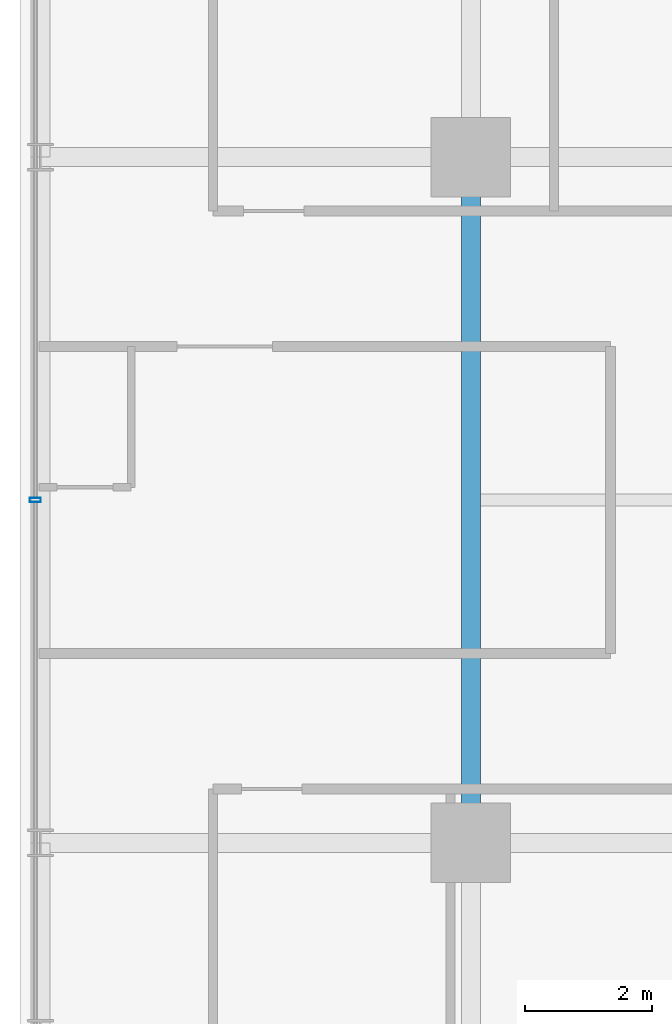
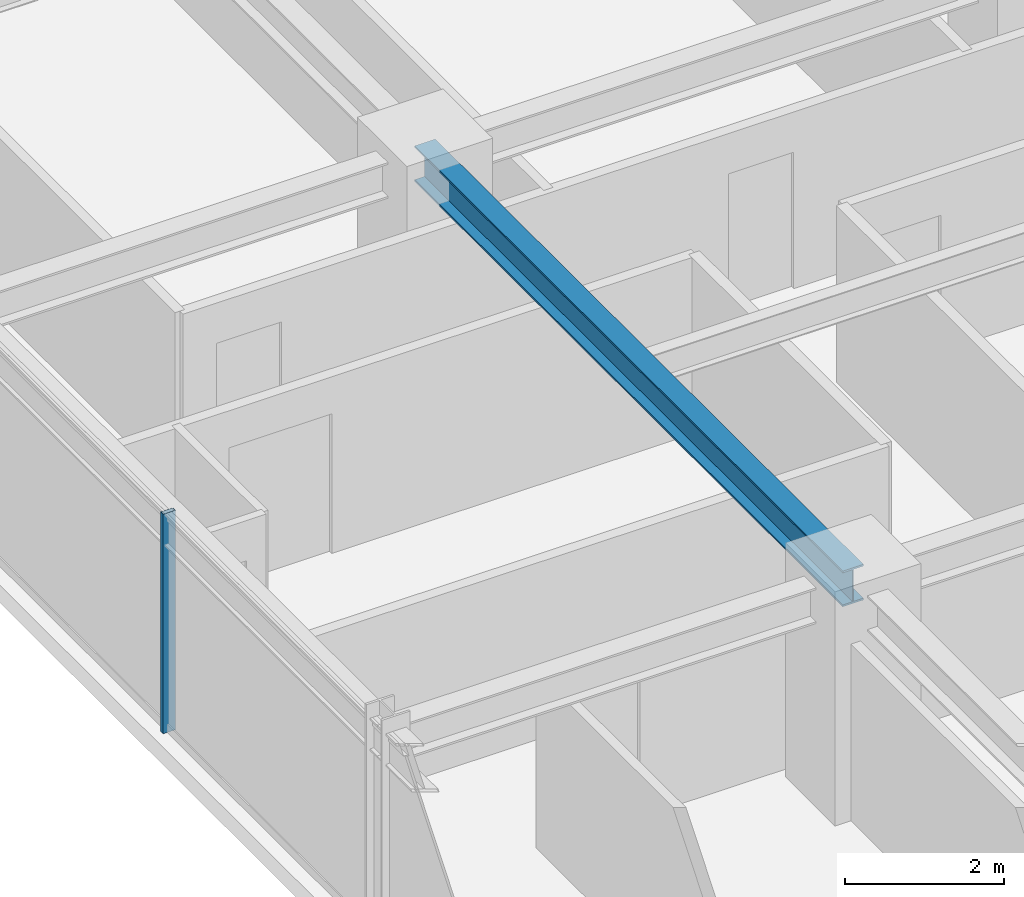
# One storey, part 9 of 33: 1 beam, 1 member, 1 element without a shape of its own.
"""IFC4 building model written with IfcOpenShell, lengths in metres."""

import ifcopenshell
import ifcopenshell.guid

model = None  # the IFC model being written
_history = None  # IfcOwnerHistory: only IFC2X3 demands one
_inside = {}  # id of a spatial element -> (the spatial element, [elements in it])
_under = {}  # id of a project, library or spatial element -> (it, [spatial elements below it])
_declared = {}  # id of a project -> (the project, [libraries it declares])
_typed = {}  # id of a type object -> (the type object, [elements of that type])
_made_of = {}  # id of a material, layer set ... -> (it, [elements and type objects made of it])


def new_model(schema):
    """Start an empty IFC model of exactly this schema.

    Asked for "IFC4X3", IfcOpenShell would pick the latest addendum, in which some entities
    have other attributes; the version numbers below select the first issue.
    IFC2X3 requires an IfcOwnerHistory on every rooted entity: one is made here for all.
    """
    global model, _history
    if schema == "IFC4X3":
        model = ifcopenshell.file(schema_version=(4, 3, 0, 0))
    else:
        model = ifcopenshell.file(schema=schema)
    _inside.clear()
    _under.clear()
    _declared.clear()
    _typed.clear()
    _made_of.clear()
    _history = None
    if model.schema == "IFC2X3":
        org = make("IfcOrganization", Name="unknown")
        user = make(
            "IfcPersonAndOrganization",
            ThePerson=make("IfcPerson", FamilyName="unknown"),
            TheOrganization=org,
        )
        app = make(
            "IfcApplication",
            ApplicationDeveloper=org,
            Version="unknown",
            ApplicationFullName="unknown",
            ApplicationIdentifier="unknown",
        )
        _history = make(
            "IfcOwnerHistory",
            OwningUser=user,
            OwningApplication=app,
            ChangeAction="ADDED",
            CreationDate=0,
        )
    return model


def make(cls, **values):
    """One entity of the class cls with the attributes given. An attribute that is None is left unset."""
    return model.create_entity(
        cls, **{name: value for name, value in values.items() if value is not None}
    )


def rooted(cls, **values):
    """An entity with a GlobalId (a new one), such as an element, a storey or a relation."""
    return make(cls, GlobalId=ifcopenshell.guid.new(), OwnerHistory=_history, **values)


def si_unit(unit_type, name, prefix=None):
    """IfcSIUnit, for example si_unit("LENGTHUNIT", "METRE", prefix="MILLI")."""
    return make("IfcSIUnit", UnitType=unit_type, Prefix=prefix, Name=name)


def assignment(units):
    """IfcUnitAssignment: the units of a project."""
    return None if units is None else make("IfcUnitAssignment", Units=units)


def point(xyz):
    """IfcCartesianPoint."""
    return None if xyz is None else make("IfcCartesianPoint", Coordinates=xyz)


def direction(xyz):
    """IfcDirection."""
    return None if xyz is None else make("IfcDirection", DirectionRatios=xyz)


def frame(location, z_axis=None, x_axis=None):
    """IfcAxis2Placement3D, a coordinate frame: its origin and axes. An axis left out is left unset."""
    return make(
        "IfcAxis2Placement3D",
        Location=point(location),
        Axis=direction(z_axis),
        RefDirection=direction(x_axis),
    )


def frame_2d(location, x_axis=None):
    """IfcAxis2Placement2D, a coordinate frame in the plane: its origin and x axis."""
    return make(
        "IfcAxis2Placement2D", Location=point(location), RefDirection=direction(x_axis)
    )


def origin():
    """The frame at (0, 0, 0) with its axes left unset."""
    return frame((0.0, 0.0, 0.0))


def origin_2d():
    """The frame at (0, 0) in the plane with its x axis left unset."""
    return frame_2d((0.0, 0.0))


def place(relative_to, where):
    """IfcLocalPlacement: puts the frame where relative to a parent placement (None: the world)."""
    return make(
        "IfcLocalPlacement", PlacementRelTo=relative_to, RelativePlacement=where
    )


def context(
    kind, dimensions, precision=None, world=None, true_north=None, identifier=None
):
    """IfcGeometricRepresentationContext, for example the 3D "Model" context."""
    return make(
        "IfcGeometricRepresentationContext",
        ContextIdentifier=identifier,
        ContextType=kind,
        CoordinateSpaceDimension=dimensions,
        Precision=precision,
        WorldCoordinateSystem=world,
        TrueNorth=true_north,
    )


def subcontext(parent, identifier, kind, view, scale=None):
    """IfcGeometricRepresentationSubContext, for example "Body" below "Model"."""
    return make(
        "IfcGeometricRepresentationSubContext",
        ContextIdentifier=identifier,
        ContextType=kind,
        ParentContext=parent,
        TargetScale=scale,
        TargetView=view,
    )


def project(units=None, contexts=None):
    """IfcProject with its units and contexts."""
    return rooted(
        "IfcProject",
        Name="project",
        RepresentationContexts=contexts,
        UnitsInContext=assignment(units),
    )


def spatial(cls, under=None, at=None, **own):
    """A site, building, storey or space (cls), placed at a placement, below another one or the project."""
    s = rooted(cls, ObjectPlacement=at, **own)
    if under is not None:
        _under.setdefault(under.id(), (under, []))[1].append(s)
    return s


def profile(cls, at=None, kind="AREA", **sizes):
    """A parametric profile (cls). Its sizes go by their IFC names, for example OverallWidth=200.0."""
    return make(cls, ProfileType=kind, Position=at, **sizes)


def hollow_rectangle(**sizes):
    """IfcRectangleHollowProfileDef."""
    return profile("IfcRectangleHollowProfileDef", **sizes)


def i_section(**sizes):
    """IfcIShapeProfileDef."""
    return profile("IfcIShapeProfileDef", **sizes)


def extrude(swept, where, along, depth):
    """IfcExtrudedAreaSolid: the profile swept, set in the frame where, extruded along a direction by depth."""
    return make(
        "IfcExtrudedAreaSolid",
        SweptArea=swept,
        Position=where,
        ExtrudedDirection=direction(along),
        Depth=depth,
    )


def shape(context_of_items, identifier, shape_type, items):
    """IfcShapeRepresentation: the items that make up one representation, for example the "Body"."""
    return make(
        "IfcShapeRepresentation",
        ContextOfItems=context_of_items,
        RepresentationIdentifier=identifier,
        RepresentationType=shape_type,
        Items=items,
    )


def source(mapping_origin, context_of_items, identifier, shape_type, items):
    """IfcRepresentationMap: a shape defined once, which mapped items show again and again."""
    return make(
        "IfcRepresentationMap",
        MappingOrigin=mapping_origin,
        MappedRepresentation=shape(context_of_items, identifier, shape_type, items),
    )


def transform(
    local_origin,
    x_axis=None,
    y_axis=None,
    z_axis=None,
    scale=None,
    scale2=None,
    scale3=None,
    uniform=True,
):
    """IfcCartesianTransformationOperator3D, or its non-uniform kind. x_axis, y_axis, z_axis: its Axis1, 2, 3."""
    if uniform:
        return make(
            "IfcCartesianTransformationOperator3D",
            Axis1=direction(x_axis),
            Axis2=direction(y_axis),
            LocalOrigin=point(local_origin),
            Scale=scale,
            Axis3=direction(z_axis),
        )
    return make(
        "IfcCartesianTransformationOperator3DnonUniform",
        Axis1=direction(x_axis),
        Axis2=direction(y_axis),
        LocalOrigin=point(local_origin),
        Scale=scale,
        Axis3=direction(z_axis),
        Scale2=scale2,
        Scale3=scale3,
    )


def mapped(mapping_source, mapping_target):
    """IfcMappedItem: shows the shape of a source again, moved by a transform."""
    return make(
        "IfcMappedItem", MappingSource=mapping_source, MappingTarget=mapping_target
    )


def material(Name=None, Category=None):
    """IfcMaterial."""
    return make("IfcMaterial", Name=Name, Category=Category)


def material_profile(
    of_material, cross_section, Name=None, Category=None, Priority=None
):
    """IfcMaterialProfile: a cross section and its material."""
    return make(
        "IfcMaterialProfile",
        Name=Name,
        Material=of_material,
        Profile=cross_section,
        Priority=Priority,
        Category=Category,
    )


def profile_set(profiles, Name=None, composite=None):
    """IfcMaterialProfileSet."""
    return make(
        "IfcMaterialProfileSet",
        Name=Name,
        MaterialProfiles=profiles,
        CompositeProfile=composite,
    )


def made_of(thing, what):
    """Note that an element or type object is made of a material, layer set ...; save() writes the relation."""
    if what is not None:
        _made_of.setdefault(what.id(), (what, []))[1].append(thing)
    return thing


def type_object(cls, material=None, **own):
    """A type object (cls), such as IfcWallType, which elements share."""
    return made_of(rooted(cls, **own), material)


def element(
    cls,
    number,
    at=None,
    inside=None,
    cuts=None,
    type_object=None,
    material=None,
    context=None,
    identifier="Body",
    shape_type=None,
    held_by="IfcProductDefinitionShape",
    body=None,
    shapes=None,
    **own,
):
    """One element of the class cls, such as IfcWall. Its Tag is "e" and its number.

    at: its placement. inside: the storey or other place that contains it. cuts: it is an
    opening in that element (IfcRelVoidsElement). A single representation is given by context,
    identifier, shape_type and body (its items); several are given by shapes. held_by: the class
    of the entity that holds the representations. save() writes the other relations.
    """
    e = rooted(cls, Tag="e%d" % number, ObjectPlacement=at, **own)
    if body is not None:
        shapes = [shape(context, identifier, shape_type, body)]
    if shapes is not None:
        e.Representation = make(held_by, Representations=shapes)
    if inside is not None:
        _inside.setdefault(inside.id(), (inside, []))[1].append(e)
    if cuts is not None:
        rooted(
            "IfcRelVoidsElement", RelatingBuildingElement=cuts, RelatedOpeningElement=e
        )
    if type_object is not None:
        _typed.setdefault(type_object.id(), (type_object, []))[1].append(e)
    return made_of(e, material)


def aggregate(whole, parts):
    """IfcRelAggregates: a whole, such as a stair, and the parts it consists of."""
    return rooted("IfcRelAggregates", RelatingObject=whole, RelatedObjects=parts)


def save(model, path):
    """Write the relations noted so far, then the file.

    IfcRelAggregates (storeys below a building ...), IfcRelContainedInSpatialStructure (elements
    in a storey), IfcRelDefinesByType, IfcRelAssociatesMaterial and IfcRelDeclares: one each for
    every whole, place, type object, material and project.
    """
    for whole, parts in _under.values():
        aggregate(whole, parts)
    for where, things in _inside.values():
        rooted(
            "IfcRelContainedInSpatialStructure",
            RelatedElements=things,
            RelatingStructure=where,
        )
    for kind, things in _typed.values():
        rooted("IfcRelDefinesByType", RelatedObjects=things, RelatingType=kind)
    for what, things in _made_of.values():
        rooted("IfcRelAssociatesMaterial", RelatedObjects=things, RelatingMaterial=what)
    for by, libraries in _declared.values():
        rooted("IfcRelDeclares", RelatingContext=by, RelatedDefinitions=libraries)
    model.write(path)


model = new_model("IFC4")

# Units and contexts
model_context = context("Model", 3, precision=1e-05, world=origin(), true_north=direction((0.0, 1.0)))
body_context = subcontext(model_context, "Body", "Model", "MODEL_VIEW")
ifc_project = project(units=[si_unit("LENGTHUNIT", "METRE"), si_unit("AREAUNIT", "SQUARE_METRE"), si_unit("VOLUMEUNIT", "CUBIC_METRE"), si_unit("PLANEANGLEUNIT", "RADIAN"), si_unit("MASSUNIT", "GRAM", prefix="KILO")], contexts=[model_context])

# Site, building, storey
site_placement = place(None, origin())
site = spatial("IfcSite", under=ifc_project, at=site_placement, CompositionType="ELEMENT")
building_placement = place(site_placement, origin())
building = spatial("IfcBuilding", under=site, at=building_placement, Name="Nahalor Promenade Grand Hotel", CompositionType="ELEMENT")
storey_placement = place(building_placement, frame((0.0, 0.0, 132.10009765625)))
storey = spatial("IfcBuildingStorey", under=building, at=storey_placement, Name="L33", CompositionType="ELEMENT", Elevation=132.10009765625)

# Beam
ifc_material_1 = material(Name="Steel S355JR", Category="steel")
ifc_material_profile_1 = material_profile(ifc_material_1, i_section(OverallWidth=0.3, OverallDepth=0.55, WebThickness=0.015, FlangeThickness=0.029, at=origin_2d()), Name="HEB 550")
ifc_profile_set_1 = profile_set([ifc_material_profile_1], Name="Steel S355JR")
beam_type = type_object("IfcBeamType", Name="Beam-Girder-HEB550", PredefinedType="BEAM", material=ifc_profile_set_1)
shared_shape_1 = source(origin(), body_context, "Body", "SweptSolid", [
    extrude(i_section(OverallWidth=0.3, OverallDepth=0.55, WebThickness=0.015, FlangeThickness=0.029, at=origin_2d()), origin(), (0.0, 0.0, 1.0), 10.7998046875),
])
beam_placement = place(storey_placement, frame((-17.0, -5.39990234375, 3.10498046875), z_axis=(0.0, 1.0, 0.0), x_axis=(-1.0, 0.0, 0.0)))
element("IfcBeam", 1, at=beam_placement, inside=storey, type_object=beam_type, Name="BM-L33-GY-0-2", PredefinedType="BEAM", context=body_context, shape_type="MappedRepresentation", body=[
    mapped(shared_shape_1, transform((0.0, 0.0, 0.0), scale=1.0)),
])

# Curtain wall, member
ifc_material_2 = material(Name="Anodised Bronze Aluminium EN AW-6063 T6", Category="aluminium")
curtain_wall_type = type_object("IfcCurtainWallType", Name="CW2 Typical Hotel Flush Bronze Unitised Curtain Wall", PredefinedType="USERDEFINED", material=ifc_material_2)
curtain_wall_placement = place(storey_placement, origin())
curtain_wall = element("IfcCurtainWall", 2, at=curtain_wall_placement, inside=storey, type_object=curtain_wall_type, Name="L33 Curtain Wall CW-L33-W-1", ObjectType="UNITISED_CURTAIN_WALL", PredefinedType="USERDEFINED")
ifc_material_profile_2 = material_profile(ifc_material_2, hollow_rectangle(XDim=0.065, YDim=0.18, WallThickness=0.004, at=origin_2d()), Name="CWM 65x180x4")
ifc_profile_set_2 = profile_set([ifc_material_profile_2], Name="Anodised Bronze Aluminium EN AW-6063 T6")
member_type = type_object("IfcMemberType", Name="CWM2 Typical Bronze Mullion 65x180", PredefinedType="MULLION", material=ifc_profile_set_2)
shared_shape_2 = source(origin(), body_context, "Body", "SweptSolid", [
    extrude(hollow_rectangle(XDim=0.065, YDim=0.18, WallThickness=0.004, at=origin_2d()), origin(), (0.0, 0.0, 1.0), 3.3798828125),
])
member_placement = place(storey_placement, frame((-23.860107421875, 0.0, 0.0), z_axis=(0.0, 0.0, 1.0), x_axis=(0.0, 1.0, 0.0)))
member = element("IfcMember", 3, at=member_placement, type_object=member_type, Name="CW-L33-W-1 Mullion 2", PredefinedType="MULLION", context=body_context, shape_type="MappedRepresentation", body=[
    mapped(shared_shape_2, transform((0.0, 0.0, 0.0), scale=1.0)),
])
aggregate(curtain_wall, [member])

save(model, "model.ifc")
